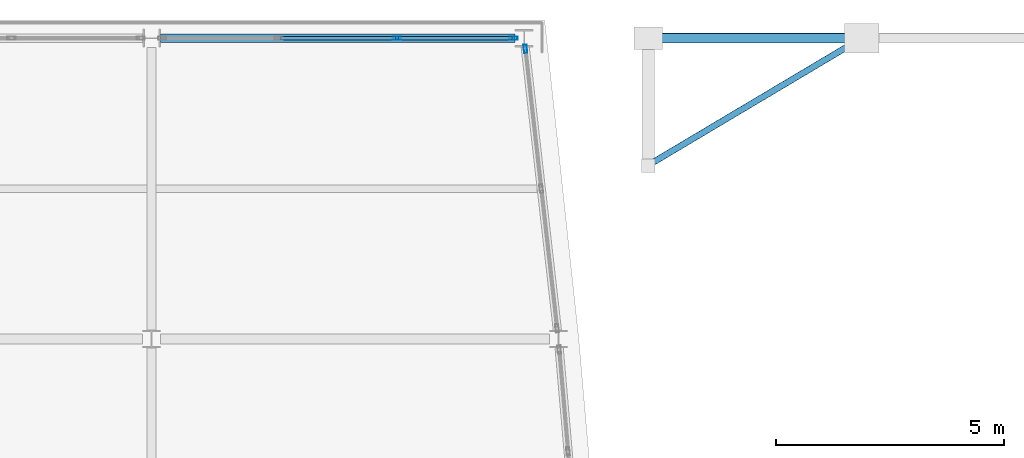
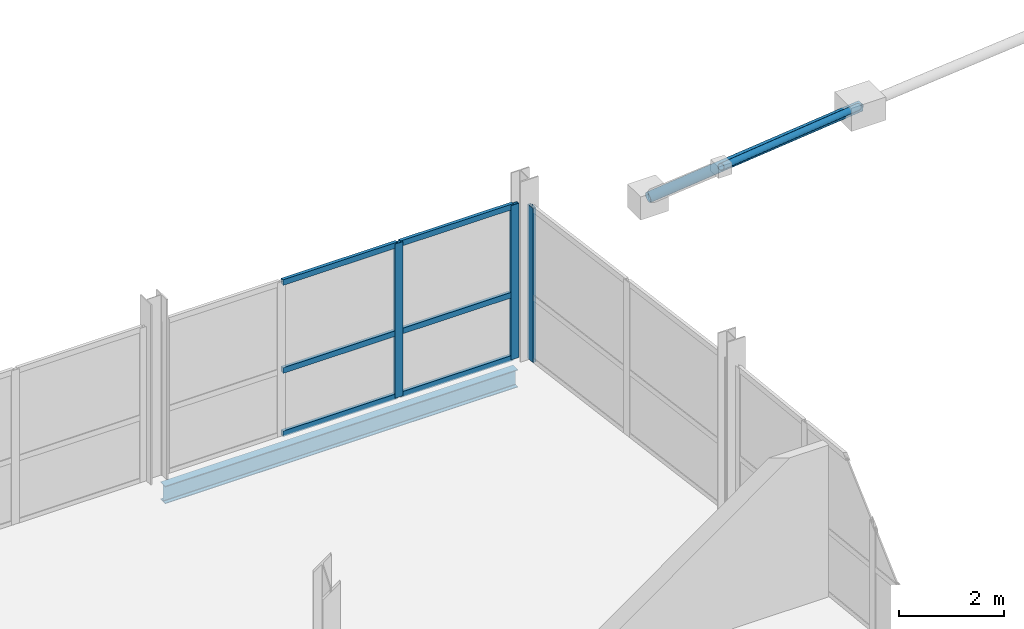
# One storey, part 35 of 60: 11 members, 1 beam, 2 elements without a shape of their own.
"""IFC4 building model written with IfcOpenShell, lengths in metres."""

import ifcopenshell
import ifcopenshell.guid

model = None  # the IFC model being written
_history = None  # IfcOwnerHistory: only IFC2X3 demands one
_inside = {}  # id of a spatial element -> (the spatial element, [elements in it])
_under = {}  # id of a project, library or spatial element -> (it, [spatial elements below it])
_declared = {}  # id of a project -> (the project, [libraries it declares])
_typed = {}  # id of a type object -> (the type object, [elements of that type])
_made_of = {}  # id of a material, layer set ... -> (it, [elements and type objects made of it])


def new_model(schema):
    """Start an empty IFC model of exactly this schema.

    Asked for "IFC4X3", IfcOpenShell would pick the latest addendum, in which some entities
    have other attributes; the version numbers below select the first issue.
    IFC2X3 requires an IfcOwnerHistory on every rooted entity: one is made here for all.
    """
    global model, _history
    if schema == "IFC4X3":
        model = ifcopenshell.file(schema_version=(4, 3, 0, 0))
    else:
        model = ifcopenshell.file(schema=schema)
    _inside.clear()
    _under.clear()
    _declared.clear()
    _typed.clear()
    _made_of.clear()
    _history = None
    if model.schema == "IFC2X3":
        org = make("IfcOrganization", Name="unknown")
        user = make(
            "IfcPersonAndOrganization",
            ThePerson=make("IfcPerson", FamilyName="unknown"),
            TheOrganization=org,
        )
        app = make(
            "IfcApplication",
            ApplicationDeveloper=org,
            Version="unknown",
            ApplicationFullName="unknown",
            ApplicationIdentifier="unknown",
        )
        _history = make(
            "IfcOwnerHistory",
            OwningUser=user,
            OwningApplication=app,
            ChangeAction="ADDED",
            CreationDate=0,
        )
    return model


def make(cls, **values):
    """One entity of the class cls with the attributes given. An attribute that is None is left unset."""
    return model.create_entity(
        cls, **{name: value for name, value in values.items() if value is not None}
    )


def rooted(cls, **values):
    """An entity with a GlobalId (a new one), such as an element, a storey or a relation."""
    return make(cls, GlobalId=ifcopenshell.guid.new(), OwnerHistory=_history, **values)


def si_unit(unit_type, name, prefix=None):
    """IfcSIUnit, for example si_unit("LENGTHUNIT", "METRE", prefix="MILLI")."""
    return make("IfcSIUnit", UnitType=unit_type, Prefix=prefix, Name=name)


def assignment(units):
    """IfcUnitAssignment: the units of a project."""
    return None if units is None else make("IfcUnitAssignment", Units=units)


def point(xyz):
    """IfcCartesianPoint."""
    return None if xyz is None else make("IfcCartesianPoint", Coordinates=xyz)


def direction(xyz):
    """IfcDirection."""
    return None if xyz is None else make("IfcDirection", DirectionRatios=xyz)


def frame(location, z_axis=None, x_axis=None):
    """IfcAxis2Placement3D, a coordinate frame: its origin and axes. An axis left out is left unset."""
    return make(
        "IfcAxis2Placement3D",
        Location=point(location),
        Axis=direction(z_axis),
        RefDirection=direction(x_axis),
    )


def frame_2d(location, x_axis=None):
    """IfcAxis2Placement2D, a coordinate frame in the plane: its origin and x axis."""
    return make(
        "IfcAxis2Placement2D", Location=point(location), RefDirection=direction(x_axis)
    )


def origin():
    """The frame at (0, 0, 0) with its axes left unset."""
    return frame((0.0, 0.0, 0.0))


def origin_2d():
    """The frame at (0, 0) in the plane with its x axis left unset."""
    return frame_2d((0.0, 0.0))


def place(relative_to, where):
    """IfcLocalPlacement: puts the frame where relative to a parent placement (None: the world)."""
    return make(
        "IfcLocalPlacement", PlacementRelTo=relative_to, RelativePlacement=where
    )


def context(
    kind, dimensions, precision=None, world=None, true_north=None, identifier=None
):
    """IfcGeometricRepresentationContext, for example the 3D "Model" context."""
    return make(
        "IfcGeometricRepresentationContext",
        ContextIdentifier=identifier,
        ContextType=kind,
        CoordinateSpaceDimension=dimensions,
        Precision=precision,
        WorldCoordinateSystem=world,
        TrueNorth=true_north,
    )


def subcontext(parent, identifier, kind, view, scale=None):
    """IfcGeometricRepresentationSubContext, for example "Body" below "Model"."""
    return make(
        "IfcGeometricRepresentationSubContext",
        ContextIdentifier=identifier,
        ContextType=kind,
        ParentContext=parent,
        TargetScale=scale,
        TargetView=view,
    )


def project(units=None, contexts=None):
    """IfcProject with its units and contexts."""
    return rooted(
        "IfcProject",
        Name="project",
        RepresentationContexts=contexts,
        UnitsInContext=assignment(units),
    )


def spatial(cls, under=None, at=None, **own):
    """A site, building, storey or space (cls), placed at a placement, below another one or the project."""
    s = rooted(cls, ObjectPlacement=at, **own)
    if under is not None:
        _under.setdefault(under.id(), (under, []))[1].append(s)
    return s


def profile(cls, at=None, kind="AREA", **sizes):
    """A parametric profile (cls). Its sizes go by their IFC names, for example OverallWidth=200.0."""
    return make(cls, ProfileType=kind, Position=at, **sizes)


def hollow_rectangle(**sizes):
    """IfcRectangleHollowProfileDef."""
    return profile("IfcRectangleHollowProfileDef", **sizes)


def hollow_circle(**sizes):
    """IfcCircleHollowProfileDef."""
    return profile("IfcCircleHollowProfileDef", **sizes)


def i_section(**sizes):
    """IfcIShapeProfileDef."""
    return profile("IfcIShapeProfileDef", **sizes)


def extrude(swept, where, along, depth):
    """IfcExtrudedAreaSolid: the profile swept, set in the frame where, extruded along a direction by depth."""
    return make(
        "IfcExtrudedAreaSolid",
        SweptArea=swept,
        Position=where,
        ExtrudedDirection=direction(along),
        Depth=depth,
    )


def shape(context_of_items, identifier, shape_type, items):
    """IfcShapeRepresentation: the items that make up one representation, for example the "Body"."""
    return make(
        "IfcShapeRepresentation",
        ContextOfItems=context_of_items,
        RepresentationIdentifier=identifier,
        RepresentationType=shape_type,
        Items=items,
    )


def material(Name=None, Category=None):
    """IfcMaterial."""
    return make("IfcMaterial", Name=Name, Category=Category)


def layer(
    of_material, thickness, ventilated=None, Name=None, Category=None, Priority=None
):
    """IfcMaterialLayer: one layer of a wall or slab, of a material (None: an air gap)."""
    return make(
        "IfcMaterialLayer",
        Material=of_material,
        LayerThickness=thickness,
        IsVentilated=ventilated,
        Name=Name,
        Category=Category,
        Priority=Priority,
    )


def layer_set(layers, Name=None):
    """IfcMaterialLayerSet."""
    return make("IfcMaterialLayerSet", MaterialLayers=layers, LayerSetName=Name)


def material_profile(
    of_material, cross_section, Name=None, Category=None, Priority=None
):
    """IfcMaterialProfile: a cross section and its material."""
    return make(
        "IfcMaterialProfile",
        Name=Name,
        Material=of_material,
        Profile=cross_section,
        Priority=Priority,
        Category=Category,
    )


def profile_set(profiles, Name=None, composite=None):
    """IfcMaterialProfileSet."""
    return make(
        "IfcMaterialProfileSet",
        Name=Name,
        MaterialProfiles=profiles,
        CompositeProfile=composite,
    )


def made_of(thing, what):
    """Note that an element or type object is made of a material, layer set ...; save() writes the relation."""
    if what is not None:
        _made_of.setdefault(what.id(), (what, []))[1].append(thing)
    return thing


def type_object(cls, material=None, **own):
    """A type object (cls), such as IfcWallType, which elements share."""
    return made_of(rooted(cls, **own), material)


def element(
    cls,
    number,
    at=None,
    inside=None,
    cuts=None,
    type_object=None,
    material=None,
    context=None,
    identifier="Body",
    shape_type=None,
    held_by="IfcProductDefinitionShape",
    body=None,
    shapes=None,
    **own,
):
    """One element of the class cls, such as IfcWall. Its Tag is "e" and its number.

    at: its placement. inside: the storey or other place that contains it. cuts: it is an
    opening in that element (IfcRelVoidsElement). A single representation is given by context,
    identifier, shape_type and body (its items); several are given by shapes. held_by: the class
    of the entity that holds the representations. save() writes the other relations.
    """
    e = rooted(cls, Tag="e%d" % number, ObjectPlacement=at, **own)
    if body is not None:
        shapes = [shape(context, identifier, shape_type, body)]
    if shapes is not None:
        e.Representation = make(held_by, Representations=shapes)
    if inside is not None:
        _inside.setdefault(inside.id(), (inside, []))[1].append(e)
    if cuts is not None:
        rooted(
            "IfcRelVoidsElement", RelatingBuildingElement=cuts, RelatedOpeningElement=e
        )
    if type_object is not None:
        _typed.setdefault(type_object.id(), (type_object, []))[1].append(e)
    return made_of(e, material)


def aggregate(whole, parts):
    """IfcRelAggregates: a whole, such as a stair, and the parts it consists of."""
    return rooted("IfcRelAggregates", RelatingObject=whole, RelatedObjects=parts)


def save(model, path):
    """Write the relations noted so far, then the file.

    IfcRelAggregates (storeys below a building ...), IfcRelContainedInSpatialStructure (elements
    in a storey), IfcRelDefinesByType, IfcRelAssociatesMaterial and IfcRelDeclares: one each for
    every whole, place, type object, material and project.
    """
    for whole, parts in _under.values():
        aggregate(whole, parts)
    for where, things in _inside.values():
        rooted(
            "IfcRelContainedInSpatialStructure",
            RelatedElements=things,
            RelatingStructure=where,
        )
    for kind, things in _typed.values():
        rooted("IfcRelDefinesByType", RelatedObjects=things, RelatingType=kind)
    for what, things in _made_of.values():
        rooted("IfcRelAssociatesMaterial", RelatedObjects=things, RelatingMaterial=what)
    for by, libraries in _declared.values():
        rooted("IfcRelDeclares", RelatingContext=by, RelatedDefinitions=libraries)
    model.write(path)


model = new_model("IFC4")

# Units and contexts
model_context = context("Model", 3, precision=1e-05, world=origin(), true_north=direction((0.0, 1.0)))
body_context = subcontext(model_context, "Body", "Model", "MODEL_VIEW")
ifc_project = project(units=[si_unit("LENGTHUNIT", "METRE"), si_unit("AREAUNIT", "SQUARE_METRE"), si_unit("VOLUMEUNIT", "CUBIC_METRE"), si_unit("PLANEANGLEUNIT", "RADIAN"), si_unit("MASSUNIT", "GRAM", prefix="KILO")], contexts=[model_context])

# Site, building, storey
site_placement = place(None, origin())
site = spatial("IfcSite", under=ifc_project, at=site_placement, CompositionType="ELEMENT")
building_placement = place(site_placement, origin())
building = spatial("IfcBuilding", under=site, at=building_placement, Name="Quillay Park Conservatory", CompositionType="ELEMENT")
storey_placement = place(building_placement, frame((0.0, 0.0, 9.89990234375)))
storey = spatial("IfcBuildingStorey", under=building, at=storey_placement, Name="L02", CompositionType="ELEMENT", Elevation=9.89990234375)

# Curtain wall, member
ifc_material_1 = material(Name="Thermally Broken Anodised Aluminium 6063-T6", Category="aluminium")
ifc_layer = layer(ifc_material_1, 0.179931640625)
ifc_layer_set = layer_set([ifc_layer], Name="UNITISED CURTAIN WALL TOWER (Thermally Broken Anodised Aluminium 6063-T6)")
curtain_wall_type = type_object("IfcCurtainWallType", Name="UNITISED CURTAIN WALL TOWER", PredefinedType="USERDEFINED", material=ifc_layer_set)
curtain_wall_1_placement = place(storey_placement, origin())
curtain_wall_1 = element("IfcCurtainWall", 1, at=curtain_wall_1_placement, inside=storey, type_object=curtain_wall_type, Name="L02 Unitised Curtain Wall 024", ObjectType="UNITISED CURTAIN WALL", PredefinedType="USERDEFINED")
ifc_material_2 = material(Name="Thermally Broken Anodised Aluminium 6063-T6", Category="aluminium")
ifc_material_profile_1 = material_profile(ifc_material_2, hollow_rectangle(XDim=0.070068359375, YDim=0.179931640625, WallThickness=0.00390625, at=origin_2d()), Name="AL70x180x4")
ifc_profile_set_1 = profile_set([ifc_material_profile_1], Name="Thermally Broken Anodised Aluminium 6063-T6")
member_type_1 = type_object("IfcMemberType", Name="CURTAIN WALL MULLION 70 X180", PredefinedType="MULLION", material=ifc_profile_set_1)
member_1_placement = place(storey_placement, frame((27.95166015625, 113.16650390625, 0.0), z_axis=(0.0, 0.0, 1.0), x_axis=(0.993605989969, 0.112903218278, 0.0)))
member_1 = element("IfcMember", 2, at=member_1_placement, type_object=member_type_1, Name="CW-T1 mullion 1", PredefinedType="MULLION", context=body_context, shape_type="SweptSolid", body=[
    extrude(hollow_rectangle(XDim=0.070068359375, YDim=0.179931640625, WallThickness=0.00390625, at=origin_2d()), origin(), (0.0, 0.0, 1.0), 3.59912109375),
])
aggregate(curtain_wall_1, [member_1])

# Curtain wall, members
curtain_wall_2_placement = place(storey_placement, origin())
curtain_wall_2 = element("IfcCurtainWall", 3, at=curtain_wall_2_placement, inside=storey, type_object=curtain_wall_type, Name="L02 Unitised Curtain Wall 027", ObjectType="UNITISED CURTAIN WALL", PredefinedType="USERDEFINED")
member_2_placement = place(storey_placement, frame((25.13330078125, 113.39990234375, 0.0), z_axis=(0.0, 0.0, 1.0), x_axis=(0.0, 1.0, 0.0)))
member_2 = element("IfcMember", 4, at=member_2_placement, type_object=member_type_1, Name="CW-T1 mullion 3", PredefinedType="MULLION", context=body_context, shape_type="SweptSolid", body=[
    extrude(hollow_rectangle(XDim=0.070068359375, YDim=0.179931640625, WallThickness=0.00390625, at=origin_2d()), origin(), (0.0, 0.0, 1.0), 3.59912109375),
])
member_3_placement = place(storey_placement, frame((27.68994140625, 113.39990234375, 0.0), z_axis=(0.0, 0.0, 1.0), x_axis=(0.0, 1.0, 0.0)))
member_3 = element("IfcMember", 5, at=member_3_placement, type_object=member_type_1, Name="CW-T1 mullion 4", PredefinedType="MULLION", context=body_context, shape_type="SweptSolid", body=[
    extrude(hollow_rectangle(XDim=0.070068359375, YDim=0.179931640625, WallThickness=0.00390625, at=origin_2d()), origin(), (0.0, 0.0, 1.0), 3.59912109375),
])
ifc_material_3 = material(Name="Thermally Broken Anodised Aluminium 6063-T6", Category="aluminium")
ifc_material_profile_2 = material_profile(ifc_material_3, hollow_rectangle(XDim=0.070068359375, YDim=0.1298828125, WallThickness=0.003173828125, at=origin_2d()), Name="AL70x130x3.2")
ifc_profile_set_2 = profile_set([ifc_material_profile_2], Name="Thermally Broken Anodised Aluminium 6063-T6")
member_type_2 = type_object("IfcMemberType", Name="CURTAIN WALL TRANSOM 70 X130", PredefinedType="USERDEFINED", material=ifc_profile_set_2)
member_4_placement = place(storey_placement, frame((22.57666015625, 113.39990234375, 0.03515625), z_axis=(1.0, 0.0, 0.0), x_axis=(0.0, 1.0, 0.0)))
member_4 = element("IfcMember", 6, at=member_4_placement, type_object=member_type_2, Name="CW-T1 transom 2.1", ObjectType="TRANSOM", PredefinedType="USERDEFINED", context=body_context, shape_type="SweptSolid", body=[
    extrude(hollow_rectangle(XDim=0.070068359375, YDim=0.1298828125, WallThickness=0.003173828125, at=origin_2d()), origin(), (0.0, 0.0, 1.0), 2.521728515625),
])
member_5_placement = place(storey_placement, frame((22.57666015625, 113.39990234375, 1.51171875), z_axis=(1.0, 0.0, 0.0), x_axis=(0.0, 1.0, 0.0)))
member_5 = element("IfcMember", 7, at=member_5_placement, type_object=member_type_2, Name="CW-T1 transom 2.2", ObjectType="TRANSOM", PredefinedType="USERDEFINED", context=body_context, shape_type="SweptSolid", body=[
    extrude(hollow_rectangle(XDim=0.070068359375, YDim=0.1298828125, WallThickness=0.003173828125, at=origin_2d()), origin(), (0.0, 0.0, 1.0), 2.521728515625),
])
member_6_placement = place(storey_placement, frame((22.57666015625, 113.39990234375, 3.564208984375), z_axis=(1.0, 0.0, 0.0), x_axis=(0.0, 1.0, 0.0)))
member_6 = element("IfcMember", 8, at=member_6_placement, type_object=member_type_2, Name="CW-T1 transom 2.3", ObjectType="TRANSOM", PredefinedType="USERDEFINED", context=body_context, shape_type="SweptSolid", body=[
    extrude(hollow_rectangle(XDim=0.070068359375, YDim=0.1298828125, WallThickness=0.003173828125, at=origin_2d()), origin(), (0.0, 0.0, 1.0), 2.521728515625),
])
member_7_placement = place(storey_placement, frame((25.168212890625, 113.39990234375, 0.03515625), z_axis=(1.0, 0.0, 0.0), x_axis=(0.0, 1.0, 0.0)))
member_7 = element("IfcMember", 9, at=member_7_placement, type_object=member_type_2, Name="CW-T1 transom 3.1", ObjectType="TRANSOM", PredefinedType="USERDEFINED", context=body_context, shape_type="SweptSolid", body=[
    extrude(hollow_rectangle(XDim=0.070068359375, YDim=0.1298828125, WallThickness=0.003173828125, at=origin_2d()), origin(), (0.0, 0.0, 1.0), 2.48681640625),
])
member_8_placement = place(storey_placement, frame((25.168212890625, 113.39990234375, 1.51171875), z_axis=(1.0, 0.0, 0.0), x_axis=(0.0, 1.0, 0.0)))
member_8 = element("IfcMember", 10, at=member_8_placement, type_object=member_type_2, Name="CW-T1 transom 3.2", ObjectType="TRANSOM", PredefinedType="USERDEFINED", context=body_context, shape_type="SweptSolid", body=[
    extrude(hollow_rectangle(XDim=0.070068359375, YDim=0.1298828125, WallThickness=0.003173828125, at=origin_2d()), origin(), (0.0, 0.0, 1.0), 2.48681640625),
])
member_9_placement = place(storey_placement, frame((25.168212890625, 113.39990234375, 3.564208984375), z_axis=(1.0, 0.0, 0.0), x_axis=(0.0, 1.0, 0.0)))
member_9 = element("IfcMember", 11, at=member_9_placement, type_object=member_type_2, Name="CW-T1 transom 3.3", ObjectType="TRANSOM", PredefinedType="USERDEFINED", context=body_context, shape_type="SweptSolid", body=[
    extrude(hollow_rectangle(XDim=0.070068359375, YDim=0.1298828125, WallThickness=0.003173828125, at=origin_2d()), origin(), (0.0, 0.0, 1.0), 2.48681640625),
])
aggregate(curtain_wall_2, [member_2, member_3, member_4, member_5, member_6, member_7, member_8, member_9])

# Members
ifc_material_4 = material(Name="Steel S355J2H", Category="steel")
ifc_material_profile_3 = material_profile(ifc_material_4, hollow_circle(Radius=0.109619140625, WallThickness=0.010009765625, at=origin_2d()), Name="CHS219.1x10")
ifc_profile_set_3 = profile_set([ifc_material_profile_3], Name="Steel S355J2H")
member_type_3 = type_object("IfcMemberType", Name="GRIDSHELL ARCH RIB CHS219", PredefinedType="USERDEFINED", material=ifc_profile_set_3)
member_10_placement = place(storey_placement, frame((30.64990234375, 113.39990234375, 2.704345703125), z_axis=(0.994423821707, 0.0, 0.105457398137), x_axis=(0.0, 1.0, 0.0)))
element("IfcMember", 12, at=member_10_placement, inside=storey, type_object=member_type_3, Name="Gridshell member GS-RIB-00-10", ObjectType="GRIDSHELL ARCH RIB", PredefinedType="USERDEFINED", context=body_context, shape_type="SweptSolid", body=[
    extrude(hollow_circle(Radius=0.109619140625, WallThickness=0.010009765625, at=origin_2d()), origin(), (0.0, 0.0, 1.0), 4.7041015625),
])
ifc_material_5 = material(Name="Steel S355J2H", Category="steel")
ifc_material_profile_4 = material_profile(ifc_material_5, hollow_circle(Radius=0.06982421875, WallThickness=0.00634765625, at=origin_2d()), Name="CHS139.7x6.3")
ifc_profile_set_4 = profile_set([ifc_material_profile_4], Name="Steel S355J2H")
member_type_4 = type_object("IfcMemberType", Name="GRIDSHELL DIAGRID BRACE CHS140", PredefinedType="BRACE", material=ifc_profile_set_4)
member_11_placement = place(storey_placement, frame((30.64990234375, 110.614990234375, 5.106689453125), z_axis=(0.810983827885, 0.482798002437, -0.330471359957), x_axis=(-0.511538257491, 0.85926050248, 0.0)))
element("IfcMember", 13, at=member_11_placement, inside=storey, type_object=member_type_4, Name="Gridshell member GS-DIAG-00-09", PredefinedType="BRACE", context=body_context, shape_type="SweptSolid", body=[
    extrude(hollow_circle(Radius=0.06982421875, WallThickness=0.00634765625, at=origin_2d()), origin(), (0.0, 0.0, 1.0), 5.768310546875),
])

# Beam
ifc_material_6 = material(Name="Steel ASTM A992 Grade 50", Category="steel")
ifc_material_profile_5 = material_profile(ifc_material_6, i_section(OverallWidth=0.179931640625, OverallDepth=0.4130859375, WebThickness=0.009765625, FlangeThickness=0.01611328125, FilletRadius=0.011962890625, at=origin_2d()), Name="W410x74")
ifc_profile_set_5 = profile_set([ifc_material_profile_5], Name="Steel ASTM A992 Grade 50")
beam_type = type_object("IfcBeamType", Name="PERIMETER SPANDREL BEAM W410 X74", PredefinedType="SPANDREL", material=ifc_profile_set_5)
beam_placement = place(storey_placement, frame((19.946533203125, 113.39990234375, -0.4365234375), z_axis=(1.0, 0.0, 0.0), x_axis=(0.0, 1.0, 0.0)))
element("IfcBeam", 14, at=beam_placement, inside=storey, type_object=beam_type, Name="L02 beam BM-SP-0197", PredefinedType="SPANDREL", context=body_context, shape_type="SweptSolid", body=[
    extrude(i_section(OverallWidth=0.179931640625, OverallDepth=0.4130859375, WebThickness=0.009765625, FlangeThickness=0.01611328125, FilletRadius=0.011962890625, at=origin_2d()), origin(), (0.0, 0.0, 1.0), 7.779052734375),
])

save(model, "model.ifc")
